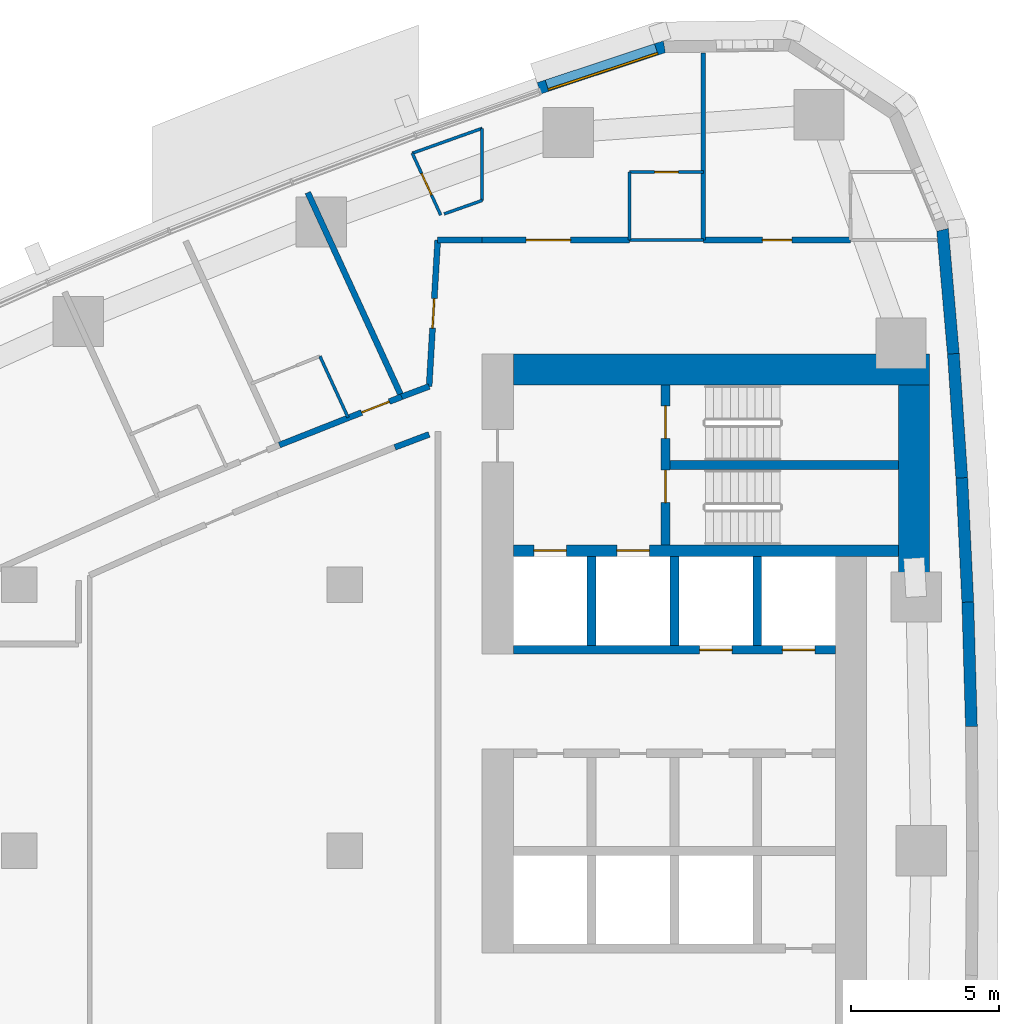
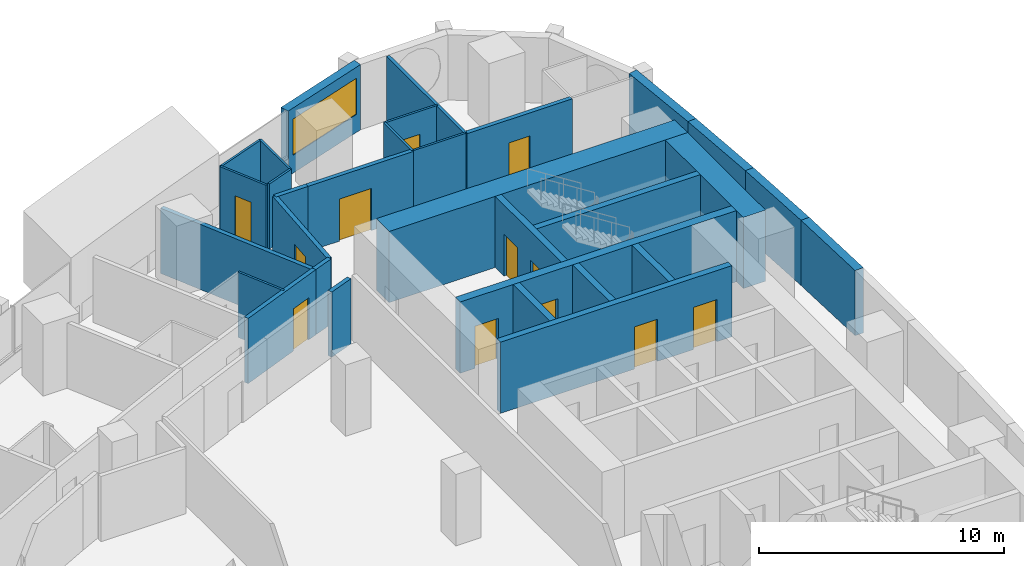
# One storey, part 12 of 17: 31 walls, 12 doors, 1 window, 13 openings.
"""IFC4 building model written with IfcOpenShell, lengths in metres."""

from ifc_helpers import new_model, si_unit, direction, frame, frame_2d, origin, place, context, subcontext, project, spatial, polyline, rectangle, outline, extrude, material, layer, layer_set, type_object, element, fill, save


model = new_model("IFC4")

# Units and contexts
model_context = context("Model", 3, precision=1e-05, world=origin(), true_north=direction((0.0, 1.0)))
body_context = subcontext(model_context, "Body", "Model", "MODEL_VIEW")
ifc_project = project(units=[si_unit("LENGTHUNIT", "METRE"), si_unit("AREAUNIT", "SQUARE_METRE"), si_unit("VOLUMEUNIT", "CUBIC_METRE"), si_unit("PLANEANGLEUNIT", "RADIAN"), si_unit("MASSUNIT", "GRAM", prefix="KILO")], contexts=[model_context])

# Site, building, storey
site_placement = place(None, origin())
site = spatial("IfcSite", under=ifc_project, at=site_placement, CompositionType="ELEMENT")
building_placement = place(site_placement, origin())
building = spatial("IfcBuilding", under=site, at=building_placement, Name="Ostrand Prow Hotel Tower", CompositionType="ELEMENT")
storey_placement = place(building_placement, frame((0.0, 0.0, 95.550048828125)))
storey = spatial("IfcBuildingStorey", under=building, at=storey_placement, Name="L22", CompositionType="ELEMENT", Elevation=95.550048828125)

# Walls
ifc_material_1 = material(Name="Concrete C80/95", Category="concrete")
ifc_layer_1 = layer(ifc_material_1, 1.050048828125)
ifc_layer_set_1 = layer_set([ifc_layer_1], Name="Concrete C80/95")
wall_type_1 = type_object("IfcWallType", Name="Core wall 1050 C80/95", PredefinedType="SHEAR", material=ifc_layer_set_1)
wall_1_placement = place(storey_placement, frame((50.699951171875, 16.27490234375, 0.0), z_axis=(0.0, 0.0, 1.0), x_axis=(1.0, 0.0, 0.0)))
element("IfcWall", 1, at=wall_1_placement, inside=storey, type_object=wall_type_1, Name="Core wall CW-N", PredefinedType="SHEAR", context=body_context, shape_type="SweptSolid", body=[
    extrude(rectangle(XDim=14.070068359375, YDim=1.050048828125, at=frame_2d((7.03515625, 0.0))), origin(), (0.0, 0.0, 1.0), 3.550048828125),
])
wall_2_placement = place(storey_placement, frame((64.2451171875, 9.388671875, 0.0), z_axis=(0.0, 0.0, 1.0), x_axis=(0.0, 1.0, 0.0)))
element("IfcWall", 2, at=wall_2_placement, inside=storey, type_object=wall_type_1, Name="Core wall CW-E-N", PredefinedType="SHEAR", context=body_context, shape_type="SweptSolid", body=[
    extrude(rectangle(XDim=6.361328125, YDim=1.050048828125, at=frame_2d((3.1806640625, 0.0))), origin(), (0.0, 0.0, 1.0), 3.550048828125),
])

# Wall, openings, doors
ifc_material_2 = material(Name="Concrete C80/95", Category="concrete")
ifc_layer_2 = layer(ifc_material_2, 0.300048828125)
ifc_layer_set_2 = layer_set([ifc_layer_2], Name="Concrete C80/95")
wall_type_2 = type_object("IfcWallType", Name="Core wall 300 C80/95", PredefinedType="SHEAR", material=ifc_layer_set_2)
wall_3_placement = place(storey_placement, frame((50.699951171875, 6.800048828125, 0.0), z_axis=(0.0, 0.0, 1.0), x_axis=(1.0, 0.0, 0.0)))
wall_3 = element("IfcWall", 3, at=wall_3_placement, inside=storey, type_object=wall_type_2, Name="Core wall PW-L2-N", PredefinedType="SHEAR", context=body_context, shape_type="SweptSolid", body=[
    extrude(rectangle(XDim=10.900146484375, YDim=0.300048828125, at=frame_2d((5.4501953125, 0.0))), origin(), (0.0, 0.0, 1.0), 3.550048828125),
])
opening_1_placement = place(wall_3_placement, frame((6.300048828125, 0.0, 0.0)))
opening_1 = element("IfcOpeningElement", 4, at=opening_1_placement, cuts=wall_3, Name="Opening LD", PredefinedType="OPENING", context=body_context, shape_type="SweptSolid", body=[
    extrude(rectangle(XDim=1.10009765625, YDim=2.10009765625, at=frame_2d((0.550048828125, 1.050048828125))), frame((0.0, 0.159912109375, 0.0), z_axis=(0.0, -1.0, 0.0), x_axis=(1.0, 0.0, 0.0)), (0.0, 0.0, 1.0), 0.320068359375),
])
opening_2_placement = place(wall_3_placement, frame((9.10009765625, 0.0, 0.0)))
opening_2 = element("IfcOpeningElement", 5, at=opening_2_placement, cuts=wall_3, Name="Opening LD", PredefinedType="OPENING", context=body_context, shape_type="SweptSolid", body=[
    extrude(rectangle(XDim=1.10009765625, YDim=2.10009765625, at=frame_2d((0.550048828125, 1.050048828125))), frame((0.0, 0.159912109375, 0.0), z_axis=(0.0, -1.0, 0.0), x_axis=(1.0, 0.0, 0.0)), (0.0, 0.0, 1.0), 0.320068359375),
])
ifc_material_3 = material(Name="Stainless steel door", Category="steel")
door_type_1 = type_object("IfcDoorType", Name="Lift landing door 1100", OperationType="DOUBLE_DOOR_SLIDING", PredefinedType="DOOR", material=ifc_material_3)
door_1_placement = place(opening_1_placement, origin())
door_1 = element("IfcDoor", 6, at=door_1_placement, inside=storey, type_object=door_type_1, Name="LIFT LANDING DOOR", OperationType="DOUBLE_DOOR_SLIDING", OverallHeight=2.10009765625, OverallWidth=1.10009765625, PredefinedType="DOOR", context=body_context, shape_type="SweptSolid", body=[
    extrude(rectangle(XDim=1.10009765625, YDim=2.10009765625, at=frame_2d((0.550048828125, 1.050048828125))), frame((0.0, 0.02490234375, 0.0), z_axis=(0.0, -1.0, 0.0), x_axis=(1.0, 0.0, 0.0)), (0.0, 0.0, 1.0), 0.050048828125),
])
fill(opening_1, door_1)
door_2_placement = place(opening_2_placement, origin())
door_2 = element("IfcDoor", 7, at=door_2_placement, inside=storey, type_object=door_type_1, Name="LIFT LANDING DOOR", OperationType="DOUBLE_DOOR_SLIDING", OverallHeight=2.10009765625, OverallWidth=1.10009765625, PredefinedType="DOOR", context=body_context, shape_type="SweptSolid", body=[
    extrude(rectangle(XDim=1.10009765625, YDim=2.10009765625, at=frame_2d((0.550048828125, 1.050048828125))), frame((0.0, 0.02490234375, 0.0), z_axis=(0.0, -1.0, 0.0), x_axis=(1.0, 0.0, 0.0)), (0.0, 0.0, 1.0), 0.050048828125),
])
fill(opening_2, door_2)

# Walls
for number, where, z_axis, x_axis, name in (
    (8, (53.35009765625, 6.949951171875, 0.0), (0.0, 0.0, 1.0), (0.0, 1.0, 0.0), "Core wall PW-R1-NA"),
    (9, (56.14990234375, 6.949951171875, 0.0), (0.0, 0.0, 1.0), (0.0, 1.0, 0.0), "Core wall PW-R2-NA"),
    (10, (58.949951171875, 6.949951171875, 0.0), (0.0, 0.0, 1.0), (0.0, 1.0, 0.0), "Core wall PW-R3-NA"),
):
    element("IfcWall", number, at=place(storey_placement, frame(where, z_axis=z_axis, x_axis=x_axis)), inside=storey, type_object=wall_type_2, Name=name, PredefinedType="SHEAR", context=body_context, shape_type="SweptSolid", body=[
        extrude(rectangle(XDim=3.0, YDim=0.300048828125, at=frame_2d((1.5, 0.0))), origin(), (0.0, 0.0, 1.0), 3.550048828125),
    ])

# Wall, openings, doors
wall_4_placement = place(storey_placement, frame((55.85009765625, 10.35009765625, 0.0), z_axis=(0.0, 0.0, 1.0), x_axis=(0.0, 1.0, 0.0)))
wall_4 = element("IfcWall", 11, at=wall_4_placement, inside=storey, type_object=wall_type_2, Name="Core wall PW-VN", PredefinedType="SHEAR", context=body_context, shape_type="SweptSolid", body=[
    extrude(rectangle(XDim=5.39990234375, YDim=0.300048828125, at=frame_2d((2.699951171875, 0.0))), origin(), (0.0, 0.0, 1.0), 3.550048828125),
])
opening_3_placement = place(wall_4_placement, frame((1.429931640625, 0.0, 0.0)))
opening_3 = element("IfcOpeningElement", 12, at=opening_3_placement, cuts=wall_4, Name="Opening FD1", PredefinedType="OPENING", context=body_context, shape_type="SweptSolid", body=[
    extrude(rectangle(XDim=1.10009765625, YDim=2.10009765625, at=frame_2d((0.550048828125, 1.050048828125))), frame((0.0, 0.159912109375, 0.0), z_axis=(0.0, -1.0, 0.0), x_axis=(1.0, 0.0, 0.0)), (0.0, 0.0, 1.0), 0.320068359375),
])
opening_4_placement = place(wall_4_placement, frame((3.60009765625, 0.0, 0.0)))
opening_4 = element("IfcOpeningElement", 13, at=opening_4_placement, cuts=wall_4, Name="Opening FD1", PredefinedType="OPENING", context=body_context, shape_type="SweptSolid", body=[
    extrude(rectangle(XDim=1.10009765625, YDim=2.10009765625, at=frame_2d((0.550048828125, 1.050048828125))), frame((0.0, 0.159912109375, 0.0), z_axis=(0.0, -1.0, 0.0), x_axis=(1.0, 0.0, 0.0)), (0.0, 0.0, 1.0), 0.320068359375),
])
ifc_material_4 = material(Name="Steel fire door", Category="steel")
door_type_2 = type_object("IfcDoorType", Name="Fire door 1100 EI120", OperationType="SINGLE_SWING_RIGHT", PredefinedType="DOOR", material=ifc_material_4)
door_3_placement = place(opening_3_placement, origin())
door_3 = element("IfcDoor", 14, at=door_3_placement, inside=storey, type_object=door_type_2, Name="FIRE DOOR", OperationType="SINGLE_SWING_RIGHT", OverallHeight=2.10009765625, OverallWidth=1.10009765625, PredefinedType="DOOR", context=body_context, shape_type="SweptSolid", body=[
    extrude(rectangle(XDim=1.10009765625, YDim=2.10009765625, at=frame_2d((0.550048828125, 1.050048828125))), frame((0.0, 0.02490234375, 0.0), z_axis=(0.0, -1.0, 0.0), x_axis=(1.0, 0.0, 0.0)), (0.0, 0.0, 1.0), 0.050048828125),
])
fill(opening_3, door_3)
door_4_placement = place(opening_4_placement, origin())
door_4 = element("IfcDoor", 15, at=door_4_placement, inside=storey, type_object=door_type_2, Name="FIRE DOOR", OperationType="SINGLE_SWING_RIGHT", OverallHeight=2.10009765625, OverallWidth=1.10009765625, PredefinedType="DOOR", context=body_context, shape_type="SweptSolid", body=[
    extrude(rectangle(XDim=1.10009765625, YDim=2.10009765625, at=frame_2d((0.550048828125, 1.050048828125))), frame((0.0, 0.02490234375, 0.0), z_axis=(0.0, -1.0, 0.0), x_axis=(1.0, 0.0, 0.0)), (0.0, 0.0, 1.0), 0.050048828125),
])
fill(opening_4, door_4)

# Wall
wall_5_placement = place(storey_placement, frame((56.0, 13.050048828125, 0.0), z_axis=(0.0, 0.0, 1.0), x_axis=(1.0, 0.0, 0.0)))
element("IfcWall", 16, at=wall_5_placement, inside=storey, type_object=wall_type_2, Name="Core wall PW-ST13", PredefinedType="SHEAR", context=body_context, shape_type="SweptSolid", body=[
    extrude(rectangle(XDim=7.719970703125, YDim=0.300048828125, at=frame_2d((3.85986328125, 0.0))), origin(), (0.0, 0.0, 1.0), 3.550048828125),
])

# Wall, openings, doors
ifc_material_5 = material(Name="Concrete C80/95", Category="concrete")
ifc_layer_3 = layer(ifc_material_5, 0.39990234375)
ifc_layer_set_3 = layer_set([ifc_layer_3], Name="Concrete C80/95")
wall_type_3 = type_object("IfcWallType", Name="Core wall 400 C80/95", PredefinedType="SHEAR", material=ifc_layer_set_3)
wall_6_placement = place(storey_placement, frame((50.699951171875, 10.14990234375, 0.0), z_axis=(0.0, 0.0, 1.0), x_axis=(1.0, 0.0, 0.0)))
wall_6 = element("IfcWall", 17, at=wall_6_placement, inside=storey, type_object=wall_type_3, Name="Core wall PW-BN", PredefinedType="SHEAR", context=body_context, shape_type="SweptSolid", body=[
    extrude(rectangle(XDim=13.02001953125, YDim=0.39990234375, at=frame_2d((6.510009765625, 0.0))), origin(), (0.0, 0.0, 1.0), 3.550048828125),
])
opening_5_placement = place(wall_6_placement, frame((0.699951171875, 0.0, 0.0)))
opening_5 = element("IfcOpeningElement", 18, at=opening_5_placement, cuts=wall_6, Name="Opening LD", PredefinedType="OPENING", context=body_context, shape_type="SweptSolid", body=[
    extrude(rectangle(XDim=1.10009765625, YDim=2.10009765625, at=frame_2d((0.550048828125, 1.050048828125))), frame((0.0, 0.2099609375, 0.0), z_axis=(0.0, -1.0, 0.0), x_axis=(1.0, 0.0, 0.0)), (0.0, 0.0, 1.0), 0.419921875),
])
opening_6_placement = place(wall_6_placement, frame((3.5, 0.0, 0.0)))
opening_6 = element("IfcOpeningElement", 19, at=opening_6_placement, cuts=wall_6, Name="Opening LD", PredefinedType="OPENING", context=body_context, shape_type="SweptSolid", body=[
    extrude(rectangle(XDim=1.10009765625, YDim=2.10009765625, at=frame_2d((0.550048828125, 1.050048828125))), frame((0.0, 0.2099609375, 0.0), z_axis=(0.0, -1.0, 0.0), x_axis=(1.0, 0.0, 0.0)), (0.0, 0.0, 1.0), 0.419921875),
])
door_5_placement = place(opening_5_placement, origin())
door_5 = element("IfcDoor", 20, at=door_5_placement, inside=storey, type_object=door_type_1, Name="LIFT LANDING DOOR", OperationType="DOUBLE_DOOR_SLIDING", OverallHeight=2.10009765625, OverallWidth=1.10009765625, PredefinedType="DOOR", context=body_context, shape_type="SweptSolid", body=[
    extrude(rectangle(XDim=1.10009765625, YDim=2.10009765625, at=frame_2d((0.550048828125, 1.050048828125))), frame((0.0, 0.02490234375, 0.0), z_axis=(0.0, -1.0, 0.0), x_axis=(1.0, 0.0, 0.0)), (0.0, 0.0, 1.0), 0.050048828125),
])
fill(opening_5, door_5)
door_6_placement = place(opening_6_placement, origin())
door_6 = element("IfcDoor", 21, at=door_6_placement, inside=storey, type_object=door_type_1, Name="LIFT LANDING DOOR", OperationType="DOUBLE_DOOR_SLIDING", OverallHeight=2.10009765625, OverallWidth=1.10009765625, PredefinedType="DOOR", context=body_context, shape_type="SweptSolid", body=[
    extrude(rectangle(XDim=1.10009765625, YDim=2.10009765625, at=frame_2d((0.550048828125, 1.050048828125))), frame((0.0, 0.02490234375, 0.0), z_axis=(0.0, -1.0, 0.0), x_axis=(1.0, 0.0, 0.0)), (0.0, 0.0, 1.0), 0.050048828125),
])
fill(opening_6, door_6)

# Wall
ifc_material_6 = material(Name="Plasterboard partition")
ifc_layer_4 = layer(ifc_material_6, 0.10009765625)
ifc_layer_set_4 = layer_set([ifc_layer_4], Name="Plasterboard partition")
wall_type_4 = type_object("IfcWallType", Name="Partition 100 bathroom wall", PredefinedType="PARTITIONING", material=ifc_layer_set_4)
wall_7_placement = place(storey_placement, frame((54.630615234375, 20.64990234375, 0.0), z_axis=(0.0, 0.0, 1.0), x_axis=(0.0, 1.0, 0.0)))
element("IfcWall", 22, at=wall_7_placement, inside=storey, type_object=wall_type_4, Name="BATHROOM WALL", PredefinedType="PARTITIONING", context=body_context, shape_type="SweptSolid", body=[
    extrude(rectangle(XDim=2.300048828125, YDim=0.10009765625, at=frame_2d((1.14990234375, 0.0))), origin(), (0.0, 0.0, 1.0), 3.25),
])

# Wall, opening, door
wall_8_placement = place(storey_placement, frame((54.630615234375, 22.949951171875, 0.0), z_axis=(0.0, 0.0, 1.0), x_axis=(1.0, 0.0, 0.0)))
wall_8 = element("IfcWall", 23, at=wall_8_placement, inside=storey, type_object=wall_type_4, Name="BATHROOM WALL", PredefinedType="PARTITIONING", context=body_context, shape_type="SweptSolid", body=[
    extrude(rectangle(XDim=2.5, YDim=0.10009765625, at=frame_2d((1.25, 0.0))), origin(), (0.0, 0.0, 1.0), 3.25),
])
opening_7_placement = place(wall_8_placement, frame((0.85009765625, 0.0, 0.0)))
opening_7 = element("IfcOpeningElement", 24, at=opening_7_placement, cuts=wall_8, Name="Opening D2", PredefinedType="OPENING", context=body_context, shape_type="SweptSolid", body=[
    extrude(rectangle(XDim=0.800048828125, YDim=2.10009765625, at=frame_2d((0.39990234375, 1.050048828125))), frame((0.0, 0.06005859375, 0.0), z_axis=(0.0, -1.0, 0.0), x_axis=(1.0, 0.0, 0.0)), (0.0, 0.0, 1.0), 0.1201171875),
])
ifc_material_7 = material(Name="Timber door leaf", Category="wood")
door_type_3 = type_object("IfcDoorType", Name="Bathroom door 800", OperationType="SINGLE_SWING_LEFT", PredefinedType="DOOR", material=ifc_material_7)
door_7_placement = place(opening_7_placement, origin())
door_7 = element("IfcDoor", 25, at=door_7_placement, inside=storey, type_object=door_type_3, Name="DOOR", OperationType="SINGLE_SWING_LEFT", OverallHeight=2.10009765625, OverallWidth=0.800048828125, PredefinedType="DOOR", context=body_context, shape_type="SweptSolid", body=[
    extrude(rectangle(XDim=0.800048828125, YDim=2.10009765625, at=frame_2d((0.39990234375, 1.050048828125))), frame((0.0, 0.02490234375, 0.0), z_axis=(0.0, -1.0, 0.0), x_axis=(1.0, 0.0, 0.0)), (0.0, 0.0, 1.0), 0.050048828125),
])
fill(opening_7, door_7)

# Walls
wall_9_placement = place(storey_placement, frame((44.16259765625, 16.726806640625, 0.0), z_axis=(0.0, 0.0, 1.0), x_axis=(0.417373525971, -0.908735021785, 0.0)))
element("IfcWall", 26, at=wall_9_placement, inside=storey, type_object=wall_type_4, Name="BATHROOM WALL", PredefinedType="PARTITIONING", context=body_context, shape_type="SweptSolid", body=[
    extrude(rectangle(XDim=2.280029296875, YDim=0.10009765625, at=frame_2d((1.14013671875, 0.0))), origin(), (0.0, 0.0, 1.0), 3.25),
])
wall_10_placement = place(storey_placement, frame((49.64990234375, 21.99560546875, 0.0), z_axis=(0.0, 0.0, 1.0), x_axis=(-0.942692856107, -0.333661773425, 0.0)))
element("IfcWall", 27, at=wall_10_placement, inside=storey, type_object=wall_type_4, Name="BATHROOM WALL", PredefinedType="PARTITIONING", context=body_context, shape_type="SweptSolid", body=[
    extrude(rectangle(XDim=1.365234375, YDim=0.10009765625, at=frame_2d((0.6826171875, 0.0))), origin(), (0.0, 0.0, 1.0), 3.25),
])

# Wall, opening, door
wall_11_placement = place(storey_placement, frame((48.24853515625, 21.4970703125, 0.0), z_axis=(0.0, 0.0, 1.0), x_axis=(-0.41749308293, 0.908680100864, 0.0)))
wall_11 = element("IfcWall", 28, at=wall_11_placement, inside=storey, type_object=wall_type_4, Name="BATHROOM WALL", PredefinedType="PARTITIONING", context=body_context, shape_type="SweptSolid", body=[
    extrude(rectangle(XDim=2.3056640625, YDim=0.10009765625, at=frame_2d((1.15283203125, 0.0))), origin(), (0.0, 0.0, 1.0), 3.25),
])
opening_8_placement = place(wall_11_placement, frame((0.75, 0.0, 0.0)))
opening_8 = element("IfcOpeningElement", 29, at=opening_8_placement, cuts=wall_11, Name="Opening D2", PredefinedType="OPENING", context=body_context, shape_type="SweptSolid", body=[
    extrude(rectangle(XDim=0.800048828125, YDim=2.10009765625, at=frame_2d((0.39990234375, 1.050048828125))), frame((0.0, 0.06005859375, 0.0), z_axis=(0.0, -1.0, 0.0), x_axis=(1.0, 0.0, 0.0)), (0.0, 0.0, 1.0), 0.1201171875),
])
door_8_placement = place(opening_8_placement, origin())
door_8 = element("IfcDoor", 30, at=door_8_placement, inside=storey, type_object=door_type_3, Name="DOOR", OperationType="SINGLE_SWING_LEFT", OverallHeight=2.10009765625, OverallWidth=0.800048828125, PredefinedType="DOOR", context=body_context, shape_type="SweptSolid", body=[
    extrude(rectangle(XDim=0.800048828125, YDim=2.10009765625, at=frame_2d((0.39990234375, 1.050048828125))), frame((0.0, 0.02490234375, 0.0), z_axis=(0.0, -1.0, 0.0), x_axis=(1.0, 0.0, 0.0)), (0.0, 0.0, 1.0), 0.050048828125),
])
fill(opening_8, door_8)

# Walls
wall_12_placement = place(storey_placement, frame((57.130615234375, 20.655029296875, 0.0), z_axis=(0.0, 0.0, 1.0), x_axis=(-1.0, 0.0, 0.0)))
element("IfcWall", 31, at=wall_12_placement, inside=storey, type_object=wall_type_4, Name="BATHROOM WALL", PredefinedType="PARTITIONING", context=body_context, shape_type="SweptSolid", body=[
    extrude(rectangle(XDim=2.5, YDim=0.10009765625, at=frame_2d((1.25, 0.0))), origin(), (0.0, 0.0, 1.0), 3.25),
])
wall_13_placement = place(storey_placement, frame((47.285888671875, 23.59228515625, 0.0), z_axis=(0.0, 0.0, 1.0), x_axis=(0.941933231826, 0.335800218555, 0.0)))
element("IfcWall", 32, at=wall_13_placement, inside=storey, type_object=wall_type_4, Name="BATHROOM WALL", PredefinedType="PARTITIONING", context=body_context, shape_type="SweptSolid", body=[
    extrude(rectangle(XDim=2.509765625, YDim=0.10009765625, at=frame_2d((1.2548828125, 0.0))), origin(), (0.0, 0.0, 1.0), 3.25),
])
wall_14_placement = place(storey_placement, frame((49.64990234375, 24.43505859375, 0.0), z_axis=(0.0, 0.0, 1.0), x_axis=(0.0, -1.0, 0.0)))
element("IfcWall", 33, at=wall_14_placement, inside=storey, type_object=wall_type_4, Name="BATHROOM WALL", PredefinedType="PARTITIONING", context=body_context, shape_type="SweptSolid", body=[
    extrude(rectangle(XDim=2.439453125, YDim=0.10009765625, at=frame_2d((1.2197265625, 0.0))), origin(), (0.0, 0.0, 1.0), 3.25),
])
ifc_material_8 = material(Name="Plasterboard partition")
ifc_layer_5 = layer(ifc_material_8, 0.14990234375)
ifc_layer_set_5 = layer_set([ifc_layer_5], Name="Plasterboard partition")
wall_type_5 = type_object("IfcWallType", Name="Partition 150 room partition", PredefinedType="PARTITIONING", material=ifc_layer_set_5)
wall_15_placement = place(storey_placement, frame((57.130615234375, 20.64990234375, 0.0), z_axis=(0.0, 0.0, 1.0), x_axis=(0.0, 1.0, 0.0)))
element("IfcWall", 34, at=wall_15_placement, inside=storey, type_object=wall_type_5, Name="ROOM PARTITION", PredefinedType="PARTITIONING", context=body_context, shape_type="SweptSolid", body=[
    extrude(rectangle(XDim=6.3291015625, YDim=0.14990234375, at=frame_2d((3.16455078125, 0.0))), origin(), (0.0, 0.0, 1.0), 3.25),
])

# Wall, opening, door
ifc_material_9 = material(Name="Plasterboard partition")
ifc_layer_6 = layer(ifc_material_9, 0.199951171875)
ifc_layer_set_6 = layer_set([ifc_layer_6], Name="Plasterboard partition")
wall_type_6 = type_object("IfcWallType", Name="Partition 200 corridor wall", PredefinedType="PARTITIONING", material=ifc_layer_set_6)
wall_16_placement = place(storey_placement, frame((46.92431640625, 15.356689453125, 0.0), z_axis=(0.0, 0.0, 1.0), x_axis=(-0.930040633249, -0.367456692014, 0.0)))
wall_16 = element("IfcWall", 35, at=wall_16_placement, inside=storey, type_object=wall_type_6, Name="CORRIDOR WALL", PredefinedType="PARTITIONING", context=body_context, shape_type="SweptSolid", body=[
    extrude(rectangle(XDim=4.4443359375, YDim=0.199951171875, at=frame_2d((2.22216796875, 0.0))), origin(), (0.0, 0.0, 1.0), 3.25),
])
opening_9_placement = place(wall_16_placement, frame((0.449951171875, 0.0, 0.0)))
opening_9 = element("IfcOpeningElement", 36, at=opening_9_placement, cuts=wall_16, Name="Opening D1", PredefinedType="OPENING", context=body_context, shape_type="SweptSolid", body=[
    extrude(rectangle(XDim=1.0, YDim=2.10009765625, at=frame_2d((0.5, 1.050048828125))), frame((0.0, 0.10986328125, 0.0), z_axis=(0.0, -1.0, 0.0), x_axis=(1.0, 0.0, 0.0)), (0.0, 0.0, 1.0), 0.219970703125),
])
ifc_material_10 = material(Name="Timber door leaf", Category="wood")
door_type_4 = type_object("IfcDoorType", Name="Guest room door 1000", OperationType="SINGLE_SWING_LEFT", PredefinedType="DOOR", material=ifc_material_10)
door_9_placement = place(opening_9_placement, origin())
door_9 = element("IfcDoor", 37, at=door_9_placement, inside=storey, type_object=door_type_4, Name="DOOR", OperationType="SINGLE_SWING_LEFT", OverallHeight=2.10009765625, OverallWidth=1.0, PredefinedType="DOOR", context=body_context, shape_type="SweptSolid", body=[
    extrude(rectangle(XDim=1.0, YDim=2.10009765625, at=frame_2d((0.5, 1.050048828125))), frame((0.0, 0.02490234375, 0.0), z_axis=(0.0, -1.0, 0.0), x_axis=(1.0, 0.0, 0.0)), (0.0, 0.0, 1.0), 0.050048828125),
])
fill(opening_9, door_9)

wall_17_placement = place(storey_placement, frame((54.62548828125, 20.655029296875, 0.0), z_axis=(0.0, 0.0, 1.0), x_axis=(-1.0, 0.0, 0.0)))
wall_17 = element("IfcWall", 38, at=wall_17_placement, inside=storey, type_object=wall_type_6, Name="CORRIDOR WALL", PredefinedType="PARTITIONING", context=body_context, shape_type="SweptSolid", body=[
    extrude(rectangle(XDim=4.9755859375, YDim=0.199951171875, at=frame_2d((2.48779296875, 0.0))), origin(), (0.0, 0.0, 1.0), 3.25),
])
opening_10_placement = place(wall_17_placement, frame((1.98779296875, 0.0, 0.0)))
opening_10 = element("IfcOpeningElement", 39, at=opening_10_placement, cuts=wall_17, Name="Opening D15", PredefinedType="OPENING", context=body_context, shape_type="SweptSolid", body=[
    extrude(rectangle(XDim=1.5, YDim=2.10009765625, at=frame_2d((0.75, 1.050048828125))), frame((0.0, 0.10986328125, 0.0), z_axis=(0.0, -1.0, 0.0), x_axis=(1.0, 0.0, 0.0)), (0.0, 0.0, 1.0), 0.219970703125),
])
ifc_material_11 = material(Name="Timber door leaf", Category="wood")
door_type_5 = type_object("IfcDoorType", Name="Double door 1500", OperationType="DOUBLE_DOOR_SINGLE_SWING", PredefinedType="DOOR", material=ifc_material_11)
door_10_placement = place(opening_10_placement, origin())
door_10 = element("IfcDoor", 40, at=door_10_placement, inside=storey, type_object=door_type_5, Name="DOOR", OperationType="DOUBLE_DOOR_SINGLE_SWING", OverallHeight=2.10009765625, OverallWidth=1.5, PredefinedType="DOOR", context=body_context, shape_type="SweptSolid", body=[
    extrude(rectangle(XDim=1.5, YDim=2.10009765625, at=frame_2d((0.75, 1.050048828125))), frame((0.0, 0.02490234375, 0.0), z_axis=(0.0, -1.0, 0.0), x_axis=(1.0, 0.0, 0.0)), (0.0, 0.0, 1.0), 0.050048828125),
])
fill(opening_10, door_10)

wall_18_placement = place(storey_placement, frame((62.106201171875, 20.655029296875, 0.0), z_axis=(0.0, 0.0, 1.0), x_axis=(-1.0, 0.0, 0.0)))
wall_18 = element("IfcWall", 41, at=wall_18_placement, inside=storey, type_object=wall_type_6, Name="CORRIDOR WALL", PredefinedType="PARTITIONING", context=body_context, shape_type="SweptSolid", body=[
    extrude(rectangle(XDim=4.970703125, YDim=0.199951171875, at=frame_2d((2.4853515625, 0.0))), origin(), (0.0, 0.0, 1.0), 3.25),
])
opening_11_placement = place(wall_18_placement, frame((1.9853515625, 0.0, 0.0)))
opening_11 = element("IfcOpeningElement", 42, at=opening_11_placement, cuts=wall_18, Name="Opening D1", PredefinedType="OPENING", context=body_context, shape_type="SweptSolid", body=[
    extrude(rectangle(XDim=1.0, YDim=2.10009765625, at=frame_2d((0.5, 1.050048828125))), frame((0.0, 0.10986328125, 0.0), z_axis=(0.0, -1.0, 0.0), x_axis=(1.0, 0.0, 0.0)), (0.0, 0.0, 1.0), 0.219970703125),
])
door_11_placement = place(opening_11_placement, origin())
door_11 = element("IfcDoor", 43, at=door_11_placement, inside=storey, type_object=door_type_4, Name="DOOR", OperationType="SINGLE_SWING_LEFT", OverallHeight=2.10009765625, OverallWidth=1.0, PredefinedType="DOOR", context=body_context, shape_type="SweptSolid", body=[
    extrude(rectangle(XDim=1.0, YDim=2.10009765625, at=frame_2d((0.5, 1.050048828125))), frame((0.0, 0.02490234375, 0.0), z_axis=(0.0, -1.0, 0.0), x_axis=(1.0, 0.0, 0.0)), (0.0, 0.0, 1.0), 0.050048828125),
])
fill(opening_11, door_11)

# Walls
wall_19_placement = place(storey_placement, frame((47.85498046875, 15.707275390625, 0.0), z_axis=(0.0, 0.0, 1.0), x_axis=(-0.935803526171, -0.35252199989, 0.0)))
element("IfcWall", 44, at=wall_19_placement, inside=storey, type_object=wall_type_6, Name="CORRIDOR WALL", PredefinedType="PARTITIONING", context=body_context, shape_type="SweptSolid", body=[
    extrude(rectangle(XDim=0.99462890625, YDim=0.199951171875, at=frame_2d((0.497314453125, 0.0))), origin(), (0.0, 0.0, 1.0), 3.25),
])
wall_20_placement = place(storey_placement, frame((46.69580078125, 13.646728515625, 0.0), z_axis=(0.0, 0.0, 1.0), x_axis=(0.935907269358, 0.352246480696, 0.0)))
element("IfcWall", 45, at=wall_20_placement, inside=storey, type_object=wall_type_6, Name="CORRIDOR WALL", PredefinedType="PARTITIONING", context=body_context, shape_type="SweptSolid", body=[
    extrude(rectangle(XDim=1.238525390625, YDim=0.199951171875, at=frame_2d((0.619140625, 0.0))), origin(), (0.0, 0.0, 1.0), 3.25),
])

# Wall, opening, door
wall_21_placement = place(storey_placement, frame((48.1455078125, 20.65234375, 0.0), z_axis=(0.0, 0.0, 1.0), x_axis=(-0.058649792989, -0.998278619315, 0.0)))
wall_21 = element("IfcWall", 46, at=wall_21_placement, inside=storey, type_object=wall_type_6, Name="CORRIDOR WALL", PredefinedType="PARTITIONING", context=body_context, shape_type="SweptSolid", body=[
    extrude(rectangle(XDim=4.95361328125, YDim=0.199951171875, at=frame_2d((2.476806640625, 0.0))), origin(), (0.0, 0.0, 1.0), 3.25),
])
opening_12_placement = place(wall_21_placement, frame((1.97705078125, 0.0, 0.0)))
opening_12 = element("IfcOpeningElement", 47, at=opening_12_placement, cuts=wall_21, Name="Opening D1R", PredefinedType="OPENING", context=body_context, shape_type="SweptSolid", body=[
    extrude(rectangle(XDim=1.0, YDim=2.10009765625, at=frame_2d((0.5, 1.050048828125))), frame((0.0, 0.10986328125, 0.0), z_axis=(0.0, -1.0, 0.0), x_axis=(1.0, 0.0, 0.0)), (0.0, 0.0, 1.0), 0.219970703125),
])
ifc_material_12 = material(Name="Timber door leaf", Category="wood")
door_type_6 = type_object("IfcDoorType", Name="Guest room door 1000 right", OperationType="SINGLE_SWING_RIGHT", PredefinedType="DOOR", material=ifc_material_12)
door_12_placement = place(opening_12_placement, origin())
door_12 = element("IfcDoor", 48, at=door_12_placement, inside=storey, type_object=door_type_6, Name="DOOR", OperationType="SINGLE_SWING_RIGHT", OverallHeight=2.10009765625, OverallWidth=1.0, PredefinedType="DOOR", context=body_context, shape_type="SweptSolid", body=[
    extrude(rectangle(XDim=1.0, YDim=2.10009765625, at=frame_2d((0.5, 1.050048828125))), frame((0.0, 0.02490234375, 0.0), z_axis=(0.0, -1.0, 0.0), x_axis=(1.0, 0.0, 0.0)), (0.0, 0.0, 1.0), 0.050048828125),
])
fill(opening_12, door_12)

# Walls
wall_22_placement = place(storey_placement, frame((49.64990234375, 20.655029296875, 0.0), z_axis=(0.0, 0.0, 1.0), x_axis=(-0.999998406651, -0.001785131852, 0.0)))
element("IfcWall", 49, at=wall_22_placement, inside=storey, type_object=wall_type_6, Name="CORRIDOR WALL", PredefinedType="PARTITIONING", context=body_context, shape_type="SweptSolid", body=[
    extrude(rectangle(XDim=1.50439453125, YDim=0.199951171875, at=frame_2d((0.752197265625, 0.0))), origin(), (0.0, 0.0, 1.0), 3.25),
])
ifc_material_13 = material(Name="Plasterboard partition")
ifc_layer_7 = layer(ifc_material_13, 0.199951171875)
ifc_layer_set_7 = layer_set([ifc_layer_7], Name="Plasterboard partition")
wall_type_7 = type_object("IfcWallType", Name="Partition 200 key partition", PredefinedType="PARTITIONING", material=ifc_layer_set_7)
wall_23_placement = place(storey_placement, frame((46.9326171875, 15.338623046875, 0.0), z_axis=(0.0, 0.0, 1.0), x_axis=(-0.417437957167, 0.908705426371, 0.0)))
element("IfcWall", 50, at=wall_23_placement, inside=storey, type_object=wall_type_7, Name="KEY PARTITION", PredefinedType="PARTITIONING", context=body_context, shape_type="SweptSolid", body=[
    extrude(rectangle(XDim=7.618896484375, YDim=0.199951171875, at=frame_2d((3.8095703125, 0.0))), origin(), (0.0, 0.0, 1.0), 3.25),
])
ifc_material_14 = material(Name="Precast concrete C40/50", Category="concrete")
ifc_layer_8 = layer(ifc_material_14, 0.39990234375)
ifc_layer_set_8 = layer_set([ifc_layer_8], Name="Precast concrete C40/50")
wall_type_8 = type_object("IfcWallType", Name="Stone-faced precast wall 400 mm", PredefinedType="NOTDEFINED", material=ifc_layer_set_8)
for number, where, z_axis, x_axis, name in (
    (51, (66.193603515625, 4.20654296875, 0.0), (0.0, 0.0, 1.0), (-0.02901703777, 0.999578917104, 0.0), "Stone-faced wall back 11"),
    (52, (66.071533203125, 8.41162109375, 0.0), (0.0, 0.0, 1.0), (-0.048342691508, 0.998830808585, 0.0), "Stone-faced wall back 12"),
):
    element("IfcWall", number, at=place(storey_placement, frame(where, z_axis=z_axis, x_axis=x_axis)), inside=storey, type_object=wall_type_8, Name=name, PredefinedType="NOTDEFINED", context=body_context, shape_type="SweptSolid", body=[
        extrude(outline(polyline([(-0.001953125, -0.199951171875), (4.208740234375, -0.199951171875), (4.204833984375, 0.199951171875), (0.001953125, 0.199951171875), (-0.001953125, -0.199951171875)])), origin(), (0.0, 0.0, 1.0), 3.25),
    ])
wall_24_placement = place(storey_placement, frame((65.8681640625, 12.613525390625, 0.0), z_axis=(0.0, 0.0, 1.0), x_axis=(-0.067724559895, 0.997704056315, 0.0)))
element("IfcWall", 53, at=wall_24_placement, inside=storey, type_object=wall_type_8, Name="Stone-faced wall back 13", PredefinedType="NOTDEFINED", context=body_context, shape_type="SweptSolid", body=[
    extrude(outline(polyline([(-0.001953125, -0.199951171875), (4.208984375, -0.199951171875), (4.205078125, 0.199951171875), (0.001953125, 0.199951171875), (-0.001953125, -0.199951171875)])), origin(), (0.0, 0.0, 1.0), 3.25),
])
wall_25_placement = place(storey_placement, frame((65.583251953125, 16.810791015625, 0.0), z_axis=(0.0, 0.0, 1.0), x_axis=(-0.086992730434, 0.996208946382, 0.0)))
element("IfcWall", 54, at=wall_25_placement, inside=storey, type_object=wall_type_8, Name="Stone-faced wall back 14", PredefinedType="NOTDEFINED", context=body_context, shape_type="SweptSolid", body=[
    extrude(outline(polyline([(-0.001953125, -0.199951171875), (4.23779296875, -0.199951171875), (4.17578125, 0.199951171875), (0.001953125, 0.199951171875), (-0.001953125, -0.199951171875)])), origin(), (0.0, 0.0, 1.0), 3.25),
])

# Wall, opening, window
wall_26_placement = place(storey_placement, frame((55.81005859375, 27.192138671875, 0.0), z_axis=(0.0, 0.0, 1.0), x_axis=(-0.94925004851, -0.314522408429, 0.0)))
wall_26 = element("IfcWall", 55, at=wall_26_placement, inside=storey, type_object=wall_type_8, Name="Stone-faced wall back 18", PredefinedType="NOTDEFINED", context=body_context, shape_type="SweptSolid", body=[
    extrude(outline(polyline([(-0.031005859375, -0.199951171875), (4.468017578125, -0.199951171875), (4.468017578125, 0.199951171875), (0.031005859375, 0.199951171875), (-0.031005859375, -0.199951171875)])), origin(), (0.0, 0.0, 1.0), 3.25),
])
opening_13_placement = place(wall_26_placement, frame((0.283935546875, 0.0, 0.89990234375)))
opening_13 = element("IfcOpeningElement", 56, at=opening_13_placement, cuts=wall_26, Name="Opening WS3-39", PredefinedType="OPENING", context=body_context, shape_type="SweptSolid", body=[
    extrude(rectangle(XDim=3.89990234375, YDim=1.800048828125, at=frame_2d((1.949951171875, 0.89990234375))), frame((0.0, 0.2099609375, 0.0), z_axis=(0.0, -1.0, 0.0), x_axis=(1.0, 0.0, 0.0)), (0.0, 0.0, 1.0), 0.419921875),
])
ifc_material_15 = material(Name="Insulated glass in bronze frame", Category="glass")
window_type = type_object("IfcWindowType", Name="Strip window 3900x1800", PartitioningType="SINGLE_PANEL", PredefinedType="WINDOW", material=ifc_material_15)
window_placement = place(opening_13_placement, origin())
window = element("IfcWindow", 57, at=window_placement, inside=storey, type_object=window_type, Name="Window back 18.1", OverallHeight=1.800048828125, OverallWidth=3.89990234375, PartitioningType="SINGLE_PANEL", PredefinedType="WINDOW", context=body_context, shape_type="SweptSolid", body=[
    extrude(rectangle(XDim=3.89990234375, YDim=1.800048828125, at=frame_2d((1.949951171875, 0.89990234375))), frame((0.0, 0.169921875, 0.0), z_axis=(0.0, -1.0, 0.0), x_axis=(1.0, 0.0, 0.0)), (0.0, 0.0, 1.0), 0.06005859375),
])
fill(opening_13, window)

save(model, "model.ifc")
